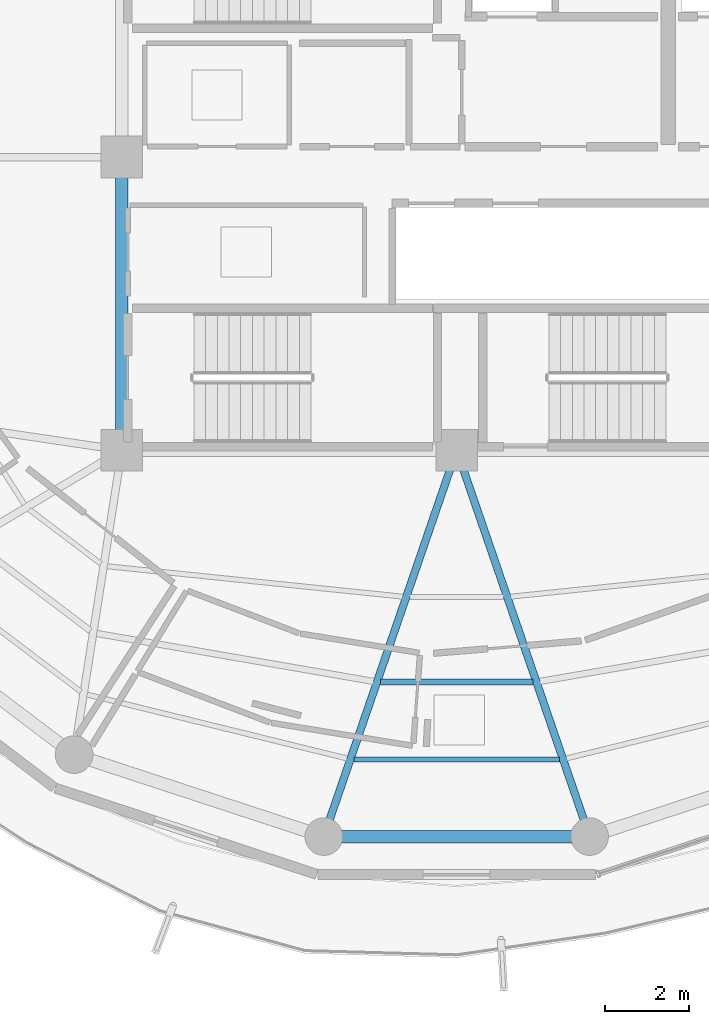
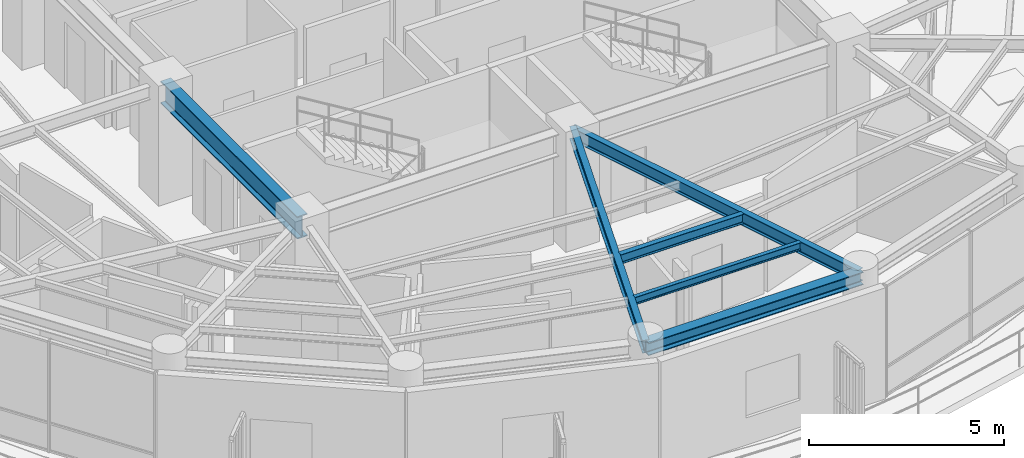
# One storey, part 3 of 23: 6 beams.
"""IFC4 building model written with IfcOpenShell, lengths in metres."""

from ifc_helpers import new_model, si_unit, direction, frame, origin, origin_2d, place, context, subcontext, project, spatial, i_section, extrude, material, material_profile, profile_set, type_object, element, save


model = new_model("IFC4")

# Units and contexts
model_context = context("Model", 3, precision=1e-05, world=origin(), true_north=direction((0.0, 1.0)))
body_context = subcontext(model_context, "Body", "Model", "MODEL_VIEW")
ifc_project = project(units=[si_unit("LENGTHUNIT", "METRE"), si_unit("AREAUNIT", "SQUARE_METRE"), si_unit("VOLUMEUNIT", "CUBIC_METRE"), si_unit("PLANEANGLEUNIT", "RADIAN"), si_unit("MASSUNIT", "GRAM", prefix="KILO")], contexts=[model_context])

# Site, building, storey
site_placement = place(None, origin())
site = spatial("IfcSite", under=ifc_project, at=site_placement, CompositionType="ELEMENT")
building_placement = place(site_placement, origin())
building = spatial("IfcBuilding", under=site, at=building_placement, Name="Kelanora Arch Commons", CompositionType="ELEMENT")
storey_placement = place(building_placement, frame((0.0, 0.0, 278.699951171875)))
storey = spatial("IfcBuildingStorey", under=building, at=storey_placement, Name="L71", CompositionType="ELEMENT", Elevation=278.699951171875)

# Beams
ifc_material = material(Name="Steel S355", Category="steel")
ifc_material_profile_1 = material_profile(ifc_material, i_section(OverallWidth=0.300048828125, OverallDepth=0.699951171875, WebThickness=0.01708984375, FlangeThickness=0.031982421875, FilletRadius=0.027099609375, at=origin_2d()), Name="HEB700")
ifc_profile_set_1 = profile_set([ifc_material_profile_1], Name="Steel S355")
beam_type_1 = type_object("IfcBeamType", Name="BM-CORE-HDR", PredefinedType="BEAM", material=ifc_profile_set_1)
beam_1_placement = place(storey_placement, frame((66.0, 58.0, 3.14013671875), z_axis=(0.0, -1.0, 0.0), x_axis=(1.0, 0.0, 0.0)))
element("IfcBeam", 1, at=beam_1_placement, inside=storey, type_object=beam_type_1, Name="Core Header Beam 09 L71", PredefinedType="BEAM", context=body_context, shape_type="SweptSolid", body=[
    extrude(i_section(OverallWidth=0.300048828125, OverallDepth=0.699951171875, WebThickness=0.01708984375, FlangeThickness=0.031982421875, FilletRadius=0.027099609375, at=origin_2d()), origin(), (0.0, 0.0, 1.0), 7.0),
])
ifc_material_profile_2 = material_profile(ifc_material, i_section(OverallWidth=0.14990234375, OverallDepth=0.300048828125, WebThickness=0.007080078125, FlangeThickness=0.0107421875, FilletRadius=0.014892578125, at=origin_2d()), Name="IPE300")
ifc_profile_set_2 = profile_set([ifc_material_profile_2], Name="Steel S355")
beam_type_2 = type_object("IfcBeamType", Name="BM-JST-01", PredefinedType="JOIST", material=ifc_profile_set_2)
beam_2_placement = place(storey_placement, frame((72.180419921875, 45.462158203125, 3.340087890625), z_axis=(1.0, 0.0, 0.0), x_axis=(0.0, 1.0, 0.0)))
element("IfcBeam", 2, at=beam_2_placement, inside=storey, type_object=beam_type_2, Name="Secondary Chord Joist BJB-26 L71", PredefinedType="JOIST", context=body_context, shape_type="SweptSolid", body=[
    extrude(i_section(OverallWidth=0.14990234375, OverallDepth=0.300048828125, WebThickness=0.007080078125, FlangeThickness=0.0107421875, FilletRadius=0.014892578125, at=origin_2d()), origin(), (0.0, 0.0, 1.0), 3.63916015625),
])
ifc_material_profile_3 = material_profile(ifc_material, i_section(OverallWidth=0.1201171875, OverallDepth=0.239990234375, WebThickness=0.006103515625, FlangeThickness=0.009765625, FilletRadius=0.014892578125, at=origin_2d()), Name="IPE240")
ifc_profile_set_3 = profile_set([ifc_material_profile_3], Name="Steel S355")
beam_type_3 = type_object("IfcBeamType", Name="BM-JST-02", PredefinedType="JOIST", material=ifc_profile_set_3)
beam_3_placement = place(storey_placement, frame((71.545654296875, 43.6162109375, 3.3701171875), z_axis=(1.0, 0.0, 0.0), x_axis=(0.0, 1.0, 0.0)))
element("IfcBeam", 3, at=beam_3_placement, inside=storey, type_object=beam_type_3, Name="Secondary Chord Joist BJC-26 L71", PredefinedType="JOIST", context=body_context, shape_type="SweptSolid", body=[
    extrude(i_section(OverallWidth=0.1201171875, OverallDepth=0.239990234375, WebThickness=0.006103515625, FlangeThickness=0.009765625, FilletRadius=0.014892578125, at=origin_2d()), origin(), (0.0, 0.0, 1.0), 4.90869140625),
])
ifc_material_profile_4 = material_profile(ifc_material, i_section(OverallWidth=0.179931640625, OverallDepth=0.39990234375, WebThickness=0.008544921875, FlangeThickness=0.013427734375, FilletRadius=0.02099609375, at=origin_2d()), Name="IPE400")
ifc_profile_set_4 = profile_set([ifc_material_profile_4], Name="Steel S355")
beam_type_4 = type_object("IfcBeamType", Name="BM-RAD-Z5", PredefinedType="BEAM", material=ifc_profile_set_4)
for number, where, z_axis, x_axis, name in (
    (4, (74.0, 51.0, 3.2900390625), (-0.325233562807, -0.945633718532, 0.0), (0.945633718532, -0.325233562807, 0.0), "Radial Floor Girder BR-26 L71"),
    (5, (74.0, 51.0, 3.2900390625), (0.325233562807, -0.945633718532, 0.0), (0.945633718532, 0.325233562807, 0.0), "Radial Floor Girder BR-28 L71"),
):
    element("IfcBeam", number, at=place(storey_placement, frame(where, z_axis=z_axis, x_axis=x_axis)), inside=storey, type_object=beam_type_4, Name=name, PredefinedType="BEAM", context=body_context, shape_type="SweptSolid", body=[
        extrude(i_section(OverallWidth=0.179931640625, OverallDepth=0.39990234375, WebThickness=0.008544921875, FlangeThickness=0.013427734375, FilletRadius=0.02099609375, at=origin_2d()), origin(), (0.0, 0.0, 1.0), 9.760009765625),
    ])
ifc_material_profile_5 = material_profile(ifc_material, i_section(OverallWidth=0.300048828125, OverallDepth=0.39990234375, WebThickness=0.013427734375, FlangeThickness=0.02392578125, FilletRadius=0.027099609375, at=origin_2d()), Name="HEB400")
ifc_profile_set_5 = profile_set([ifc_material_profile_5], Name="Steel S355")
beam_type_5 = type_object("IfcBeamType", Name="BM-SPN-Z4", PredefinedType="SPANDREL", material=ifc_profile_set_5)
beam_4_placement = place(storey_placement, frame((70.82568359375, 41.7705078125, 3.2900390625), z_axis=(1.0, 0.0, 0.0), x_axis=(0.0, 1.0, 0.0)))
element("IfcBeam", 6, at=beam_4_placement, inside=storey, type_object=beam_type_5, Name="Perimeter Spandrel Beam BS-26 L71", PredefinedType="SPANDREL", context=body_context, shape_type="SweptSolid", body=[
    extrude(i_section(OverallWidth=0.300048828125, OverallDepth=0.39990234375, WebThickness=0.013427734375, FlangeThickness=0.02392578125, FilletRadius=0.027099609375, at=origin_2d()), origin(), (0.0, 0.0, 1.0), 6.3486328125),
])

save(model, "model.ifc")
